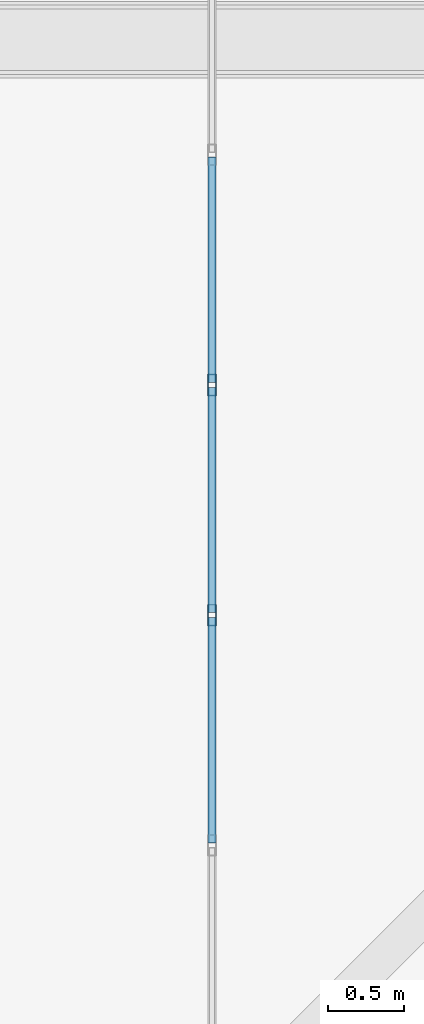
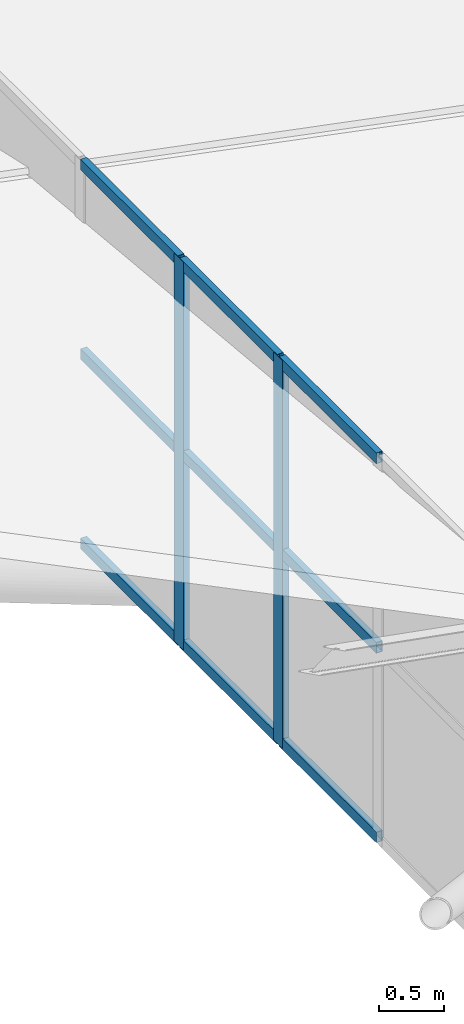
# One storey, part 335 of 397: 11 members, 1 element without a shape of its own.
"""IFC4 building model written with IfcOpenShell, lengths in metres."""

from ifc_helpers import new_model, si_unit, direction, frame, origin, origin_2d, place, context, subcontext, project, spatial, hollow_rectangle, extrude, material, material_profile, profile_set, type_object, element, aggregate, save


model = new_model("IFC4")

# Units and contexts
model_context = context("Model", 3, precision=1e-05, world=origin(), true_north=direction((0.0, 1.0)))
body_context = subcontext(model_context, "Body", "Model", "MODEL_VIEW")
ifc_project = project(units=[si_unit("LENGTHUNIT", "METRE"), si_unit("AREAUNIT", "SQUARE_METRE"), si_unit("VOLUMEUNIT", "CUBIC_METRE"), si_unit("PLANEANGLEUNIT", "RADIAN"), si_unit("MASSUNIT", "GRAM", prefix="KILO")], contexts=[model_context])

# Site, building, storey
site_placement = place(None, origin())
site = spatial("IfcSite", under=ifc_project, at=site_placement, CompositionType="ELEMENT")
building_placement = place(site_placement, origin())
building = spatial("IfcBuilding", under=site, at=building_placement, Name="Qandorah Velis Arena", CompositionType="ELEMENT")
storey_placement = place(building_placement, frame((0.0, 0.0, 27.5)))
storey = spatial("IfcBuildingStorey", under=building, at=storey_placement, Name="RF", CompositionType="ELEMENT", Elevation=27.5)

# Curtain wall, members
ifc_material_1 = material(Name="Solar-control low-E double glazing", Category="glass")
curtain_wall_type = type_object("IfcCurtainWallType", Name="ARC-CW-SYS18", PredefinedType="USERDEFINED", material=ifc_material_1)
curtain_wall_placement = place(storey_placement, origin())
curtain_wall = element("IfcCurtainWall", 1, at=curtain_wall_placement, inside=storey, type_object=curtain_wall_type, Name="Unitised curtain wall MON-2-6", ObjectType="UNITISED CURTAIN WALL", PredefinedType="USERDEFINED")
ifc_material_2 = material(Name="Champagne-bronze anodized aluminium 6063-T6", Category="aluminium")
ifc_material_profile_1 = material_profile(ifc_material_2, hollow_rectangle(XDim=0.054931640625, YDim=0.139892578125, WallThickness=0.0029296875, at=origin_2d()), Name="ALU MULLION 55x140")
ifc_profile_set_1 = profile_set([ifc_material_profile_1], Name="Champagne-bronze anodized aluminium 6063-T6")
member_type_1 = type_object("IfcMemberType", Name="ARC-CWM-140", PredefinedType="MULLION", material=ifc_profile_set_1)
member_1_placement = place(storey_placement, frame((108.0, 96.994384765625, 3.5263671875), z_axis=(0.0, 0.0, 1.0), x_axis=(-1.0, 0.0, 0.0)))
member_1 = element("IfcMember", 2, at=member_1_placement, type_object=member_type_1, Name="CW18 mullion 3", PredefinedType="MULLION", context=body_context, shape_type="SweptSolid", body=[
    extrude(hollow_rectangle(XDim=0.054931640625, YDim=0.139892578125, WallThickness=0.0029296875, at=origin_2d()), origin(), (0.0, 0.0, 1.0), 3.630126953125),
])
member_2_placement = place(storey_placement, frame((108.0, 98.5166015625, 3.5263671875), z_axis=(0.0, 0.0, 1.0), x_axis=(-1.0, 0.0, 0.0)))
member_2 = element("IfcMember", 3, at=member_2_placement, type_object=member_type_1, Name="CW18 mullion 4", PredefinedType="MULLION", context=body_context, shape_type="SweptSolid", body=[
    extrude(hollow_rectangle(XDim=0.054931640625, YDim=0.139892578125, WallThickness=0.0029296875, at=origin_2d()), origin(), (0.0, 0.0, 1.0), 3.630126953125),
])
ifc_material_profile_2 = material_profile(ifc_material_2, hollow_rectangle(XDim=0.054931640625, YDim=0.10009765625, WallThickness=0.0029296875, at=origin_2d()), Name="ALU TRANSOM 55x100")
ifc_profile_set_2 = profile_set([ifc_material_profile_2], Name="Champagne-bronze anodized aluminium 6063-T6")
member_type_2 = type_object("IfcMemberType", Name="ARC-CWT-100", PredefinedType="USERDEFINED", material=ifc_profile_set_2)
member_3_placement = place(storey_placement, frame((108.0, 95.48779296875, 3.56884765625), z_axis=(0.0, 1.0, 0.0), x_axis=(-1.0, 0.0, 0.0)))
member_3 = element("IfcMember", 4, at=member_3_placement, type_object=member_type_2, Name="CW18 transom 2.1", ObjectType="TRANSOM", PredefinedType="USERDEFINED", context=body_context, shape_type="SweptSolid", body=[
    extrude(hollow_rectangle(XDim=0.054931640625, YDim=0.10009765625, WallThickness=0.0029296875, at=origin_2d()), origin(), (0.0, 0.0, 1.0), 1.4912109375),
])
member_4_placement = place(storey_placement, frame((108.0, 95.48779296875, 5.34130859375), z_axis=(0.0, 1.0, 0.0), x_axis=(-1.0, 0.0, 0.0)))
member_4 = element("IfcMember", 5, at=member_4_placement, type_object=member_type_2, Name="CW18 transom 2.2", ObjectType="TRANSOM", PredefinedType="USERDEFINED", context=body_context, shape_type="SweptSolid", body=[
    extrude(hollow_rectangle(XDim=0.054931640625, YDim=0.10009765625, WallThickness=0.0029296875, at=origin_2d()), origin(), (0.0, 0.0, 1.0), 1.4912109375),
])
member_5_placement = place(storey_placement, frame((108.0, 95.48779296875, 7.114013671875), z_axis=(0.0, 1.0, 0.0), x_axis=(-1.0, 0.0, 0.0)))
member_5 = element("IfcMember", 6, at=member_5_placement, type_object=member_type_2, Name="CW18 transom 2.3", ObjectType="TRANSOM", PredefinedType="USERDEFINED", context=body_context, shape_type="SweptSolid", body=[
    extrude(hollow_rectangle(XDim=0.054931640625, YDim=0.10009765625, WallThickness=0.0029296875, at=origin_2d()), origin(), (0.0, 0.0, 1.0), 1.4912109375),
])
member_6_placement = place(storey_placement, frame((108.0, 97.010009765625, 3.56884765625), z_axis=(0.0, 1.0, 0.0), x_axis=(-1.0, 0.0, 0.0)))
member_6 = element("IfcMember", 7, at=member_6_placement, type_object=member_type_2, Name="CW18 transom 3.1", ObjectType="TRANSOM", PredefinedType="USERDEFINED", context=body_context, shape_type="SweptSolid", body=[
    extrude(hollow_rectangle(XDim=0.054931640625, YDim=0.10009765625, WallThickness=0.0029296875, at=origin_2d()), origin(), (0.0, 0.0, 1.0), 1.4912109375),
])
member_7_placement = place(storey_placement, frame((108.0, 97.010009765625, 5.34130859375), z_axis=(0.0, 1.0, 0.0), x_axis=(-1.0, 0.0, 0.0)))
member_7 = element("IfcMember", 8, at=member_7_placement, type_object=member_type_2, Name="CW18 transom 3.2", ObjectType="TRANSOM", PredefinedType="USERDEFINED", context=body_context, shape_type="SweptSolid", body=[
    extrude(hollow_rectangle(XDim=0.054931640625, YDim=0.10009765625, WallThickness=0.0029296875, at=origin_2d()), origin(), (0.0, 0.0, 1.0), 1.4912109375),
])
member_8_placement = place(storey_placement, frame((108.0, 97.010009765625, 7.114013671875), z_axis=(0.0, 1.0, 0.0), x_axis=(-1.0, 0.0, 0.0)))
member_8 = element("IfcMember", 9, at=member_8_placement, type_object=member_type_2, Name="CW18 transom 3.3", ObjectType="TRANSOM", PredefinedType="USERDEFINED", context=body_context, shape_type="SweptSolid", body=[
    extrude(hollow_rectangle(XDim=0.054931640625, YDim=0.10009765625, WallThickness=0.0029296875, at=origin_2d()), origin(), (0.0, 0.0, 1.0), 1.4912109375),
])
member_9_placement = place(storey_placement, frame((108.0, 98.5322265625, 3.56884765625), z_axis=(0.0, 1.0, 0.0), x_axis=(-1.0, 0.0, 0.0)))
member_9 = element("IfcMember", 10, at=member_9_placement, type_object=member_type_2, Name="CW18 transom 4.1", ObjectType="TRANSOM", PredefinedType="USERDEFINED", context=body_context, shape_type="SweptSolid", body=[
    extrude(hollow_rectangle(XDim=0.054931640625, YDim=0.10009765625, WallThickness=0.0029296875, at=origin_2d()), origin(), (0.0, 0.0, 1.0), 1.4912109375),
])
member_10_placement = place(storey_placement, frame((108.0, 98.5322265625, 5.34130859375), z_axis=(0.0, 1.0, 0.0), x_axis=(-1.0, 0.0, 0.0)))
member_10 = element("IfcMember", 11, at=member_10_placement, type_object=member_type_2, Name="CW18 transom 4.2", ObjectType="TRANSOM", PredefinedType="USERDEFINED", context=body_context, shape_type="SweptSolid", body=[
    extrude(hollow_rectangle(XDim=0.054931640625, YDim=0.10009765625, WallThickness=0.0029296875, at=origin_2d()), origin(), (0.0, 0.0, 1.0), 1.4912109375),
])
member_11_placement = place(storey_placement, frame((108.0, 98.5322265625, 7.114013671875), z_axis=(0.0, 1.0, 0.0), x_axis=(-1.0, 0.0, 0.0)))
member_11 = element("IfcMember", 12, at=member_11_placement, type_object=member_type_2, Name="CW18 transom 4.3", ObjectType="TRANSOM", PredefinedType="USERDEFINED", context=body_context, shape_type="SweptSolid", body=[
    extrude(hollow_rectangle(XDim=0.054931640625, YDim=0.10009765625, WallThickness=0.0029296875, at=origin_2d()), origin(), (0.0, 0.0, 1.0), 1.4912109375),
])
aggregate(curtain_wall, [member_1, member_2, member_3, member_4, member_5, member_6, member_7, member_8, member_9, member_10, member_11])

save(model, "model.ifc")
